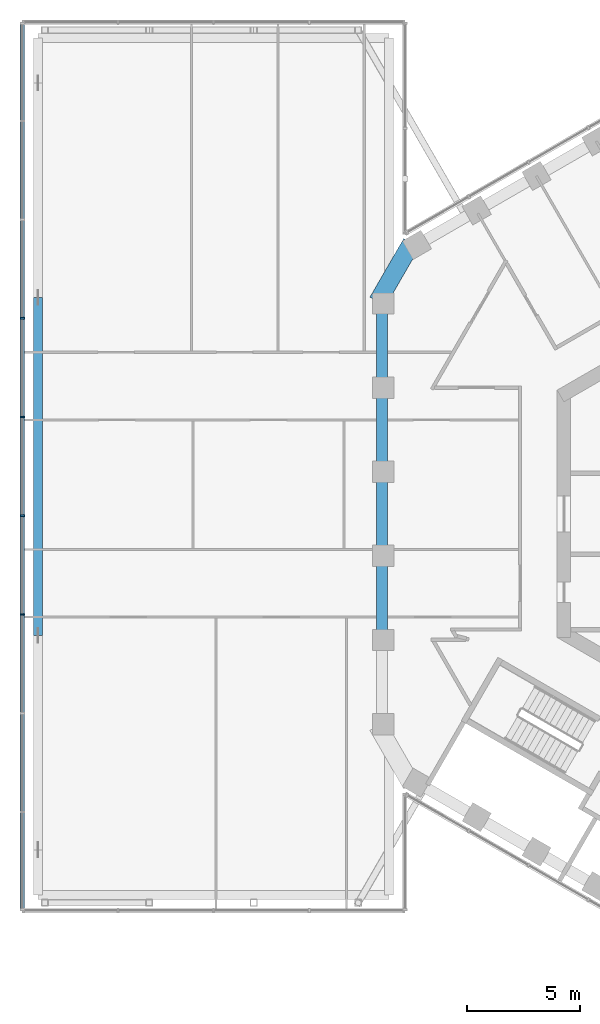
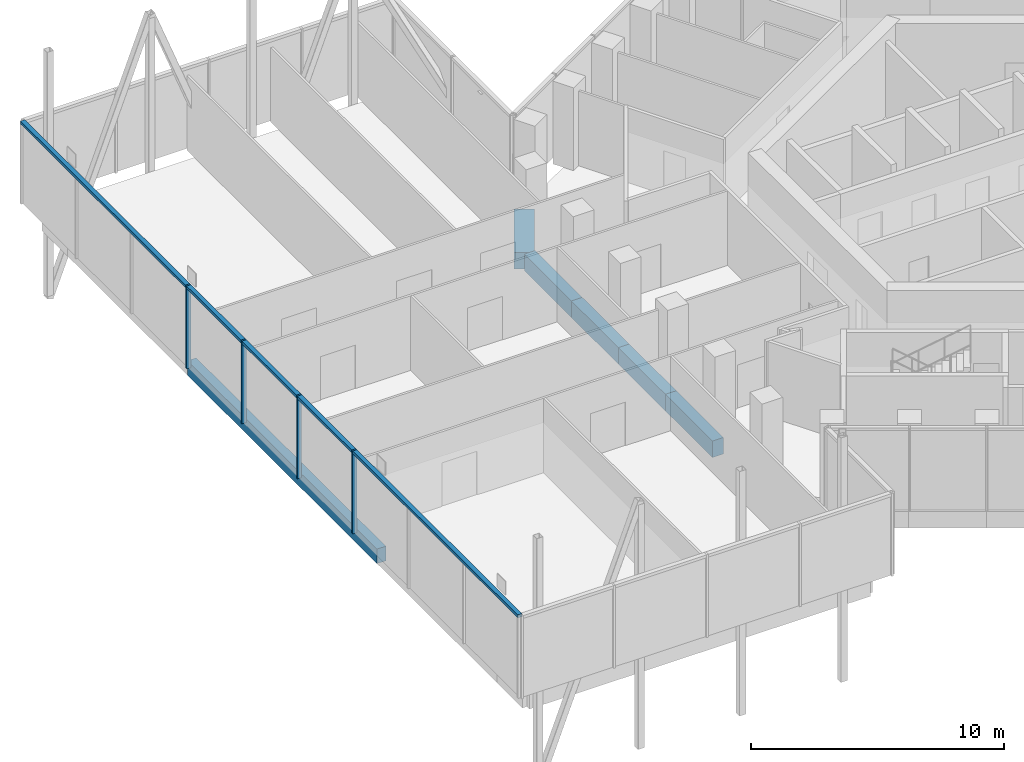
# One storey, part 3 of 21: 6 beams, 5 members, 1 element without a shape of its own.
"""IFC4 building model written with IfcOpenShell, lengths in metres."""

from ifc_helpers import new_model, si_unit, direction, frame, origin, origin_2d, place, context, subcontext, project, spatial, rectangle, extrude, material, layer, layer_set, material_profile, profile_set, type_object, element, aggregate, save


model = new_model("IFC4")

# Units and contexts
model_context = context("Model", 3, precision=1e-05, world=origin(), true_north=direction((0.0, 1.0)))
body_context = subcontext(model_context, "Body", "Model", "MODEL_VIEW")
ifc_project = project(units=[si_unit("LENGTHUNIT", "METRE"), si_unit("AREAUNIT", "SQUARE_METRE"), si_unit("VOLUMEUNIT", "CUBIC_METRE"), si_unit("PLANEANGLEUNIT", "RADIAN"), si_unit("MASSUNIT", "GRAM", prefix="KILO")], contexts=[model_context])

# Site, building, storey
site_placement = place(None, origin())
site = spatial("IfcSite", under=ifc_project, at=site_placement, CompositionType="ELEMENT")
building_placement = place(site_placement, origin())
building = spatial("IfcBuilding", under=site, at=building_placement, Name="Ayvan Gate Tower", CompositionType="ELEMENT")
storey_placement = place(building_placement, frame((0.0, 0.0, 206.10009765625)))
storey = spatial("IfcBuildingStorey", under=building, at=storey_placement, Name="L55", CompositionType="ELEMENT", Elevation=206.10009765625)

# Beams
ifc_material_1 = material(Name="Concrete C40/50", Category="concrete")
ifc_material_profile_1 = material_profile(ifc_material_1, rectangle(XDim=0.800048828125, YDim=0.800048828125, at=origin_2d()), Name="RC 800x800")
ifc_profile_set_1 = profile_set([ifc_material_profile_1], Name="Concrete C40/50")
beam_type_1 = type_object("IfcBeamType", Name="Corner spandrel beam RC 800x800 C40/50", PredefinedType="BEAM", material=ifc_profile_set_1)
beam_1_placement = place(storey_placement, frame((-15.958984375, 12.006103515625, -0.800048828125), z_axis=(-0.499990139034, -0.866031096941, 0.0), x_axis=(0.866031096941, -0.499990139034, 0.0)))
element("IfcBeam", 1, at=beam_1_placement, inside=storey, type_object=beam_type_1, Name="SB-L55-18", PredefinedType="BEAM", context=body_context, shape_type="SweptSolid", body=[
    extrude(rectangle(XDim=0.800048828125, YDim=0.800048828125, at=origin_2d()), origin(), (0.0, 0.0, 1.0), 3.0),
])
ifc_material_profile_2 = material_profile(ifc_material_1, rectangle(XDim=0.39990234375, YDim=0.699951171875, at=origin_2d()), Name="RC 400x700")
ifc_profile_set_2 = profile_set([ifc_material_profile_2], Name="Concrete C40/50")
beam_type_2 = type_object("IfcBeamType", Name="Sky bar edge beam RC 400x700 C40/50", PredefinedType="BEAM", material=ifc_profile_set_2)
beam_2_placement = place(storey_placement, frame((-32.524169921875, -5.400146484375, -0.75), z_axis=(0.0, 1.0, 0.0), x_axis=(-1.0, 0.0, 0.0)))
element("IfcBeam", 2, at=beam_2_placement, inside=storey, type_object=beam_type_2, Name="EB-B5-L55-5", PredefinedType="BEAM", context=body_context, shape_type="SweptSolid", body=[
    extrude(rectangle(XDim=0.39990234375, YDim=0.699951171875, at=origin_2d()), origin(), (0.0, 0.0, 1.0), 15.0),
])
ifc_material_profile_3 = material_profile(ifc_material_1, rectangle(XDim=0.5, YDim=0.800048828125, at=origin_2d()), Name="RC 500x800")
ifc_profile_set_3 = profile_set([ifc_material_profile_3], Name="Concrete C40/50")
beam_type_3 = type_object("IfcBeamType", Name="Spandrel beam RC 500x800 C40/50", PredefinedType="BEAM", material=ifc_profile_set_3)
for number, where, z_axis, x_axis, name in (
    (3, (-17.268310546875, 9.298095703125, -0.800048828125), (0.0, -1.0, 0.0), (1.0, 0.0, 0.0), "SB-L55-19"),
    (4, (-17.268310546875, 5.578857421875, -0.800048828125), (0.0, -1.0, 0.0), (1.0, 0.0, 0.0), "SB-L55-20"),
    (5, (-17.268310546875, 1.859619140625, -0.800048828125), (0.0, -1.0, 0.0), (1.0, 0.0, 0.0), "SB-L55-21"),
    (6, (-17.268310546875, -1.859619140625, -0.800048828125), (0.0, -1.0, 0.0), (1.0, 0.0, 0.0), "SB-L55-22"),
):
    element("IfcBeam", number, at=place(storey_placement, frame(where, z_axis=z_axis, x_axis=x_axis)), inside=storey, type_object=beam_type_3, Name=name, PredefinedType="BEAM", context=body_context, shape_type="SweptSolid", body=[
        extrude(rectangle(XDim=0.5, YDim=0.800048828125, at=origin_2d()), origin(), (0.0, 0.0, 1.0), 3.71923828125),
    ])

# Curtain wall, members
ifc_material_2 = material(Name="Bronze anodised aluminium", Category="aluminium")
ifc_layer = layer(ifc_material_2, 0.199951171875)
ifc_layer_set = layer_set([ifc_layer], Name="Bronze anodised aluminium")
curtain_wall_type = type_object("IfcCurtainWallType", Name="Stick curtain wall CW-4", PredefinedType="NOTDEFINED", material=ifc_layer_set)
curtain_wall_placement = place(storey_placement, origin())
curtain_wall = element("IfcCurtainWall", 7, at=curtain_wall_placement, inside=storey, type_object=curtain_wall_type, Name="Stick curtain wall CW-4 L55", PredefinedType="NOTDEFINED")
ifc_material_profile_4 = material_profile(ifc_material_2, rectangle(XDim=0.199951171875, YDim=0.080078125, at=origin_2d()), Name="Stick curtain wall CW-4 mullion 200 x 80")
ifc_profile_set_4 = profile_set([ifc_material_profile_4], Name="Bronze anodised aluminium")
member_type_1 = type_object("IfcMemberType", Name="Stick curtain wall CW-4 mullion 200 x 80", PredefinedType="MULLION", material=ifc_profile_set_4)
member_1_placement = place(storey_placement, frame((-33.224365234375, 8.666748046875, 0.0), z_axis=(0.0, 0.0, 1.0), x_axis=(-1.0, 0.0, 0.0)))
member_1 = element("IfcMember", 8, at=member_1_placement, type_object=member_type_1, Name="CW-4 mullion 4", PredefinedType="MULLION", context=body_context, shape_type="SweptSolid", body=[
    extrude(rectangle(XDim=0.199951171875, YDim=0.080078125, at=origin_2d()), origin(), (0.0, 0.0, 1.0), 4.0),
])
member_2_placement = place(storey_placement, frame((-33.224365234375, 4.288818359375, 0.0), z_axis=(0.0, 0.0, 1.0), x_axis=(-1.0, 0.0, 0.0)))
member_2 = element("IfcMember", 9, at=member_2_placement, type_object=member_type_1, Name="CW-4 mullion 5", PredefinedType="MULLION", context=body_context, shape_type="SweptSolid", body=[
    extrude(rectangle(XDim=0.199951171875, YDim=0.080078125, at=origin_2d()), origin(), (0.0, 0.0, 1.0), 4.0),
])
member_3_placement = place(storey_placement, frame((-33.224365234375, -0.0888671875, 0.0), z_axis=(0.0, 0.0, 1.0), x_axis=(-1.0, 0.0, 0.0)))
member_3 = element("IfcMember", 10, at=member_3_placement, type_object=member_type_1, Name="CW-4 mullion 6", PredefinedType="MULLION", context=body_context, shape_type="SweptSolid", body=[
    extrude(rectangle(XDim=0.199951171875, YDim=0.080078125, at=origin_2d()), origin(), (0.0, 0.0, 1.0), 4.0),
])
member_4_placement = place(storey_placement, frame((-33.224365234375, -4.466552734375, 0.0), z_axis=(0.0, 0.0, 1.0), x_axis=(-1.0, 0.0, 0.0)))
member_4 = element("IfcMember", 11, at=member_4_placement, type_object=member_type_1, Name="CW-4 mullion 7", PredefinedType="MULLION", context=body_context, shape_type="SweptSolid", body=[
    extrude(rectangle(XDim=0.199951171875, YDim=0.080078125, at=origin_2d()), origin(), (0.0, 0.0, 1.0), 4.0),
])
ifc_material_profile_5 = material_profile(ifc_material_2, rectangle(XDim=0.199951171875, YDim=0.139892578125, at=origin_2d()), Name="Stick curtain wall CW-4 transom 200 x 140")
ifc_profile_set_5 = profile_set([ifc_material_profile_5], Name="Bronze anodised aluminium")
member_type_2 = type_object("IfcMemberType", Name="Stick curtain wall CW-4 transom 200 x 140", PredefinedType="USERDEFINED", material=ifc_profile_set_5)
member_5_placement = place(storey_placement, frame((-33.224365234375, 21.760009765625, 3.929931640625), z_axis=(0.0, -1.0, 0.0), x_axis=(1.0, 0.0, 0.0)))
member_5 = element("IfcMember", 12, at=member_5_placement, type_object=member_type_2, Name="CW-4 transom 1", ObjectType="TRANSOM", PredefinedType="USERDEFINED", context=body_context, shape_type="SweptSolid", body=[
    extrude(rectangle(XDim=0.199951171875, YDim=0.139892578125, at=origin_2d()), origin(), (0.0, 0.0, 1.0), 39.320068359375),
])
aggregate(curtain_wall, [member_1, member_2, member_3, member_4, member_5])

save(model, "model.ifc")
